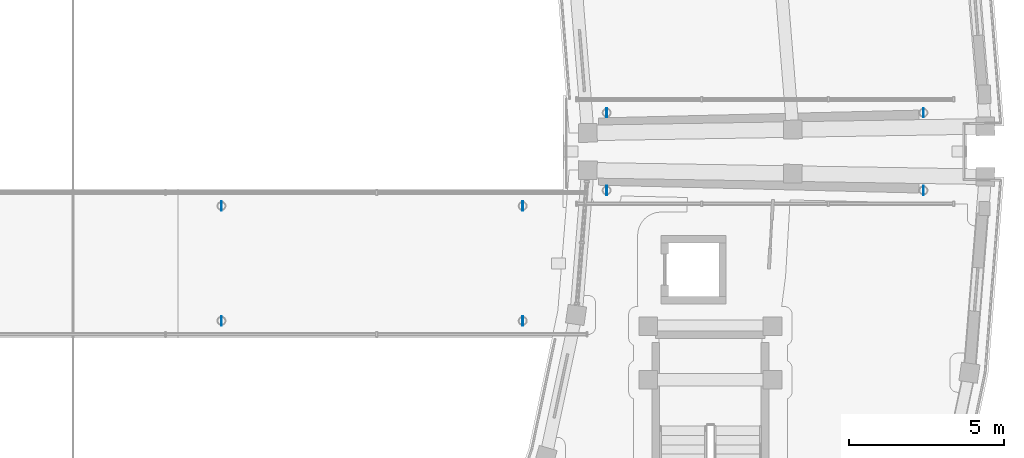
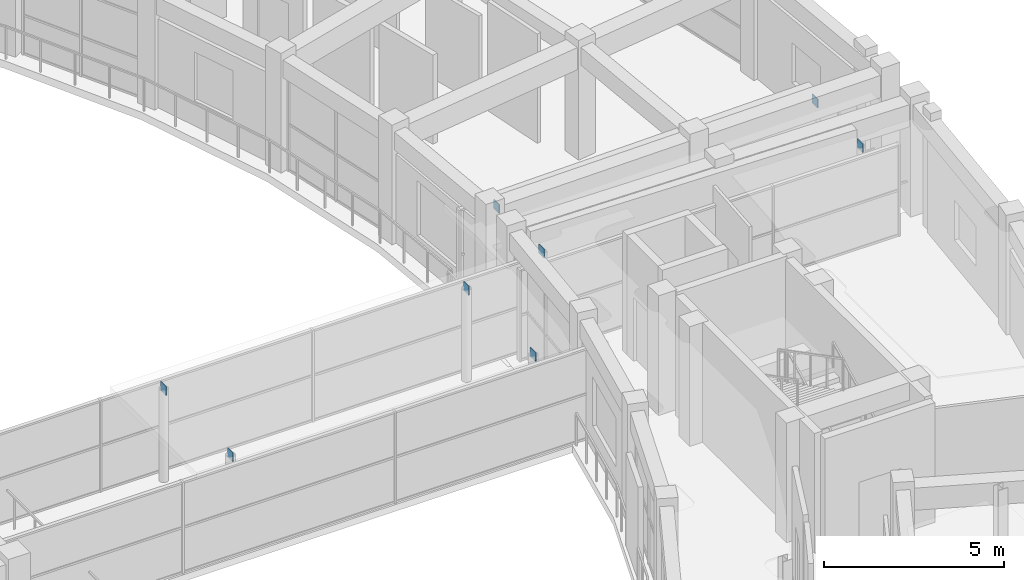
# One storey, part 33 of 53: 8 plates.
"""IFC4 building model written with IfcOpenShell, lengths in metres."""

import ifcopenshell
import ifcopenshell.guid

model = None  # the IFC model being written
_history = None  # IfcOwnerHistory: only IFC2X3 demands one
_inside = {}  # id of a spatial element -> (the spatial element, [elements in it])
_under = {}  # id of a project, library or spatial element -> (it, [spatial elements below it])
_declared = {}  # id of a project -> (the project, [libraries it declares])
_typed = {}  # id of a type object -> (the type object, [elements of that type])
_made_of = {}  # id of a material, layer set ... -> (it, [elements and type objects made of it])


def new_model(schema):
    """Start an empty IFC model of exactly this schema.

    Asked for "IFC4X3", IfcOpenShell would pick the latest addendum, in which some entities
    have other attributes; the version numbers below select the first issue.
    IFC2X3 requires an IfcOwnerHistory on every rooted entity: one is made here for all.
    """
    global model, _history
    if schema == "IFC4X3":
        model = ifcopenshell.file(schema_version=(4, 3, 0, 0))
    else:
        model = ifcopenshell.file(schema=schema)
    _inside.clear()
    _under.clear()
    _declared.clear()
    _typed.clear()
    _made_of.clear()
    _history = None
    if model.schema == "IFC2X3":
        org = make("IfcOrganization", Name="unknown")
        user = make(
            "IfcPersonAndOrganization",
            ThePerson=make("IfcPerson", FamilyName="unknown"),
            TheOrganization=org,
        )
        app = make(
            "IfcApplication",
            ApplicationDeveloper=org,
            Version="unknown",
            ApplicationFullName="unknown",
            ApplicationIdentifier="unknown",
        )
        _history = make(
            "IfcOwnerHistory",
            OwningUser=user,
            OwningApplication=app,
            ChangeAction="ADDED",
            CreationDate=0,
        )
    return model


def make(cls, **values):
    """One entity of the class cls with the attributes given. An attribute that is None is left unset."""
    return model.create_entity(
        cls, **{name: value for name, value in values.items() if value is not None}
    )


def rooted(cls, **values):
    """An entity with a GlobalId (a new one), such as an element, a storey or a relation."""
    return make(cls, GlobalId=ifcopenshell.guid.new(), OwnerHistory=_history, **values)


def si_unit(unit_type, name, prefix=None):
    """IfcSIUnit, for example si_unit("LENGTHUNIT", "METRE", prefix="MILLI")."""
    return make("IfcSIUnit", UnitType=unit_type, Prefix=prefix, Name=name)


def assignment(units):
    """IfcUnitAssignment: the units of a project."""
    return None if units is None else make("IfcUnitAssignment", Units=units)


def point(xyz):
    """IfcCartesianPoint."""
    return None if xyz is None else make("IfcCartesianPoint", Coordinates=xyz)


def direction(xyz):
    """IfcDirection."""
    return None if xyz is None else make("IfcDirection", DirectionRatios=xyz)


def frame(location, z_axis=None, x_axis=None):
    """IfcAxis2Placement3D, a coordinate frame: its origin and axes. An axis left out is left unset."""
    return make(
        "IfcAxis2Placement3D",
        Location=point(location),
        Axis=direction(z_axis),
        RefDirection=direction(x_axis),
    )


def frame_2d(location, x_axis=None):
    """IfcAxis2Placement2D, a coordinate frame in the plane: its origin and x axis."""
    return make(
        "IfcAxis2Placement2D", Location=point(location), RefDirection=direction(x_axis)
    )


def origin():
    """The frame at (0, 0, 0) with its axes left unset."""
    return frame((0.0, 0.0, 0.0))


def origin_2d():
    """The frame at (0, 0) in the plane with its x axis left unset."""
    return frame_2d((0.0, 0.0))


def place(relative_to, where):
    """IfcLocalPlacement: puts the frame where relative to a parent placement (None: the world)."""
    return make(
        "IfcLocalPlacement", PlacementRelTo=relative_to, RelativePlacement=where
    )


def context(
    kind, dimensions, precision=None, world=None, true_north=None, identifier=None
):
    """IfcGeometricRepresentationContext, for example the 3D "Model" context."""
    return make(
        "IfcGeometricRepresentationContext",
        ContextIdentifier=identifier,
        ContextType=kind,
        CoordinateSpaceDimension=dimensions,
        Precision=precision,
        WorldCoordinateSystem=world,
        TrueNorth=true_north,
    )


def subcontext(parent, identifier, kind, view, scale=None):
    """IfcGeometricRepresentationSubContext, for example "Body" below "Model"."""
    return make(
        "IfcGeometricRepresentationSubContext",
        ContextIdentifier=identifier,
        ContextType=kind,
        ParentContext=parent,
        TargetScale=scale,
        TargetView=view,
    )


def project(units=None, contexts=None):
    """IfcProject with its units and contexts."""
    return rooted(
        "IfcProject",
        Name="project",
        RepresentationContexts=contexts,
        UnitsInContext=assignment(units),
    )


def spatial(cls, under=None, at=None, **own):
    """A site, building, storey or space (cls), placed at a placement, below another one or the project."""
    s = rooted(cls, ObjectPlacement=at, **own)
    if under is not None:
        _under.setdefault(under.id(), (under, []))[1].append(s)
    return s


def profile(cls, at=None, kind="AREA", **sizes):
    """A parametric profile (cls). Its sizes go by their IFC names, for example OverallWidth=200.0."""
    return make(cls, ProfileType=kind, Position=at, **sizes)


def rectangle(**sizes):
    """IfcRectangleProfileDef."""
    return profile("IfcRectangleProfileDef", **sizes)


def extrude(swept, where, along, depth):
    """IfcExtrudedAreaSolid: the profile swept, set in the frame where, extruded along a direction by depth."""
    return make(
        "IfcExtrudedAreaSolid",
        SweptArea=swept,
        Position=where,
        ExtrudedDirection=direction(along),
        Depth=depth,
    )


def shape(context_of_items, identifier, shape_type, items):
    """IfcShapeRepresentation: the items that make up one representation, for example the "Body"."""
    return make(
        "IfcShapeRepresentation",
        ContextOfItems=context_of_items,
        RepresentationIdentifier=identifier,
        RepresentationType=shape_type,
        Items=items,
    )


def material(Name=None, Category=None):
    """IfcMaterial."""
    return make("IfcMaterial", Name=Name, Category=Category)


def layer(
    of_material, thickness, ventilated=None, Name=None, Category=None, Priority=None
):
    """IfcMaterialLayer: one layer of a wall or slab, of a material (None: an air gap)."""
    return make(
        "IfcMaterialLayer",
        Material=of_material,
        LayerThickness=thickness,
        IsVentilated=ventilated,
        Name=Name,
        Category=Category,
        Priority=Priority,
    )


def layer_set(layers, Name=None):
    """IfcMaterialLayerSet."""
    return make("IfcMaterialLayerSet", MaterialLayers=layers, LayerSetName=Name)


def made_of(thing, what):
    """Note that an element or type object is made of a material, layer set ...; save() writes the relation."""
    if what is not None:
        _made_of.setdefault(what.id(), (what, []))[1].append(thing)
    return thing


def type_object(cls, material=None, **own):
    """A type object (cls), such as IfcWallType, which elements share."""
    return made_of(rooted(cls, **own), material)


def element(
    cls,
    number,
    at=None,
    inside=None,
    cuts=None,
    type_object=None,
    material=None,
    context=None,
    identifier="Body",
    shape_type=None,
    held_by="IfcProductDefinitionShape",
    body=None,
    shapes=None,
    **own,
):
    """One element of the class cls, such as IfcWall. Its Tag is "e" and its number.

    at: its placement. inside: the storey or other place that contains it. cuts: it is an
    opening in that element (IfcRelVoidsElement). A single representation is given by context,
    identifier, shape_type and body (its items); several are given by shapes. held_by: the class
    of the entity that holds the representations. save() writes the other relations.
    """
    e = rooted(cls, Tag="e%d" % number, ObjectPlacement=at, **own)
    if body is not None:
        shapes = [shape(context, identifier, shape_type, body)]
    if shapes is not None:
        e.Representation = make(held_by, Representations=shapes)
    if inside is not None:
        _inside.setdefault(inside.id(), (inside, []))[1].append(e)
    if cuts is not None:
        rooted(
            "IfcRelVoidsElement", RelatingBuildingElement=cuts, RelatedOpeningElement=e
        )
    if type_object is not None:
        _typed.setdefault(type_object.id(), (type_object, []))[1].append(e)
    return made_of(e, material)


def aggregate(whole, parts):
    """IfcRelAggregates: a whole, such as a stair, and the parts it consists of."""
    return rooted("IfcRelAggregates", RelatingObject=whole, RelatedObjects=parts)


def save(model, path):
    """Write the relations noted so far, then the file.

    IfcRelAggregates (storeys below a building ...), IfcRelContainedInSpatialStructure (elements
    in a storey), IfcRelDefinesByType, IfcRelAssociatesMaterial and IfcRelDeclares: one each for
    every whole, place, type object, material and project.
    """
    for whole, parts in _under.values():
        aggregate(whole, parts)
    for where, things in _inside.values():
        rooted(
            "IfcRelContainedInSpatialStructure",
            RelatedElements=things,
            RelatingStructure=where,
        )
    for kind, things in _typed.values():
        rooted("IfcRelDefinesByType", RelatedObjects=things, RelatingType=kind)
    for what, things in _made_of.values():
        rooted("IfcRelAssociatesMaterial", RelatedObjects=things, RelatingMaterial=what)
    for by, libraries in _declared.values():
        rooted("IfcRelDeclares", RelatingContext=by, RelatedDefinitions=libraries)
    model.write(path)


model = new_model("IFC4")

# Units and contexts
model_context = context("Model", 3, precision=1e-05, world=origin(), true_north=direction((0.0, 1.0)))
body_context = subcontext(model_context, "Body", "Model", "MODEL_VIEW")
ifc_project = project(units=[si_unit("LENGTHUNIT", "METRE"), si_unit("AREAUNIT", "SQUARE_METRE"), si_unit("VOLUMEUNIT", "CUBIC_METRE"), si_unit("PLANEANGLEUNIT", "RADIAN"), si_unit("MASSUNIT", "GRAM", prefix="KILO")], contexts=[model_context])

# Site, building, storey
site_placement = place(None, origin())
site = spatial("IfcSite", under=ifc_project, at=site_placement, CompositionType="ELEMENT")
building_placement = place(site_placement, origin())
building = spatial("IfcBuilding", under=site, at=building_placement, Name="Saryqyr Civic Hall", CompositionType="ELEMENT")
storey_placement = place(building_placement, frame((0.0, 0.0, 21.300048828125)))
storey = spatial("IfcBuildingStorey", under=building, at=storey_placement, Name="L05", CompositionType="ELEMENT", Elevation=21.300048828125)

# Plates
ifc_material = material(Name="Steel S355", Category="steel")
ifc_layer = layer(ifc_material, 0.028076171875, Name="Steel S355")
ifc_layer_set = layer_set([ifc_layer], Name="Steel S355")
plate_type = type_object("IfcPlateType", Name="STR-PLT-CAP28", PredefinedType="USERDEFINED", material=ifc_layer_set)
for number, where, z_axis, x_axis, name in (
    (1, (93.800048828125, 82.75, 2.94970703125), (0.0, 0.0, 1.0), (1.0, 0.0, 0.0), "Hollow section end cap BRCOLCAP-BR-E-1"),
    (2, (104.0, 82.75, 2.94970703125), (0.0, 0.0, 1.0), (1.0, 0.0, 0.0), "Hollow section end cap BRCOLCAP-BR-E-2"),
    (3, (104.0, 85.25, 2.94970703125), (0.0, 0.0, 1.0), (1.0, 0.0, 0.0), "Hollow section end cap BRCOLCAP-BR-E-3"),
    (4, (93.800048828125, 85.25, 2.94970703125), (0.0, 0.0, 1.0), (1.0, 0.0, 0.0), "Hollow section end cap BRCOLCAP-BR-E-4"),
    (5, (81.39990234375, 78.550048828125, 2.94970703125), (0.0, 0.0, 1.0), (1.0, 0.0, 0.0), "Hollow section end cap BRCOLCAP-BR-CE-1"),
    (6, (91.09765625, 78.550048828125, 2.94970703125), (0.0, 0.0, 1.0), (1.0, 0.0, 0.0), "Hollow section end cap BRCOLCAP-BR-CE-2"),
    (7, (91.09765625, 82.25, 2.94970703125), (0.0, 0.0, 1.0), (1.0, 0.0, 0.0), "Hollow section end cap BRCOLCAP-BR-CE-3"),
    (8, (81.39990234375, 82.25, 2.94970703125), (0.0, 0.0, 1.0), (1.0, 0.0, 0.0), "Hollow section end cap BRCOLCAP-BR-CE-4"),
):
    element("IfcPlate", number, at=place(storey_placement, frame(where, z_axis=z_axis, x_axis=x_axis)), inside=storey, type_object=plate_type, Name=name, ObjectType="FLANGE_PLATE", PredefinedType="USERDEFINED", context=body_context, shape_type="SweptSolid", body=[
        extrude(rectangle(XDim=0.028076171875, YDim=0.300048828125, at=origin_2d()), origin(), (0.0, 0.0, 1.0), 0.300048828125),
    ])

save(model, "model.ifc")
